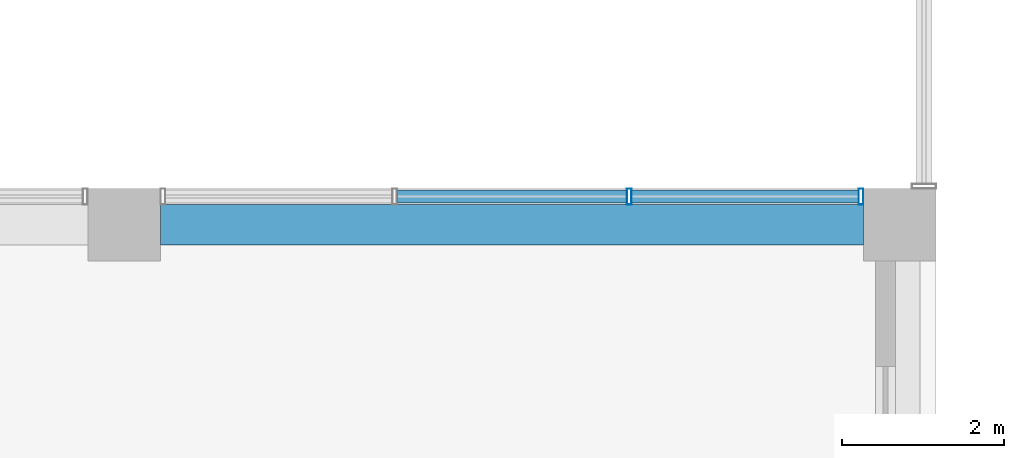
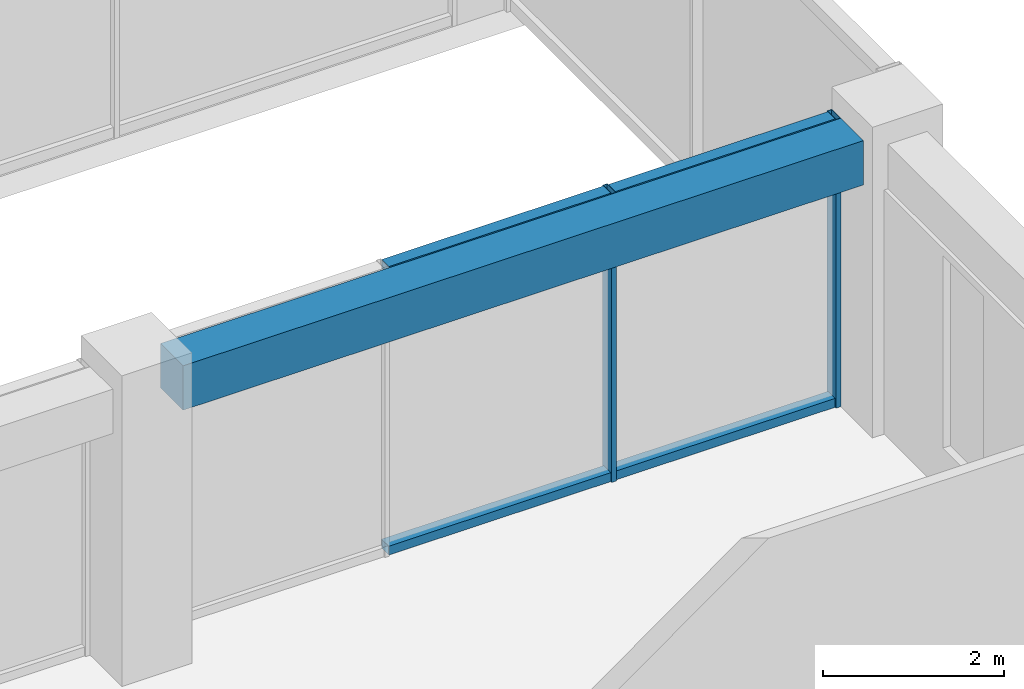
# One storey, part 17 of 36: 6 members, 1 beam, 1 element without a shape of its own.
"""IFC4 building model written with IfcOpenShell, lengths in metres."""

from ifc_helpers import new_model, si_unit, direction, frame, origin, origin_2d, place, context, subcontext, project, spatial, rectangle, hollow_rectangle, extrude, material, layer, layer_set, material_profile, profile_set, type_object, element, aggregate, save


model = new_model("IFC4")

# Units and contexts
model_context = context("Model", 3, precision=1e-05, world=origin(), true_north=direction((0.0, 1.0)))
body_context = subcontext(model_context, "Body", "Model", "MODEL_VIEW")
ifc_project = project(units=[si_unit("LENGTHUNIT", "METRE"), si_unit("AREAUNIT", "SQUARE_METRE"), si_unit("VOLUMEUNIT", "CUBIC_METRE"), si_unit("PLANEANGLEUNIT", "RADIAN"), si_unit("MASSUNIT", "GRAM", prefix="KILO")], contexts=[model_context])

# Site, building, storey
site_placement = place(None, origin())
site = spatial("IfcSite", under=ifc_project, at=site_placement, CompositionType="ELEMENT")
building_placement = place(site_placement, origin())
building = spatial("IfcBuilding", under=site, at=building_placement, Name="Nzadi Deep Aquarium and Research Tower", CompositionType="ELEMENT")
storey_placement = place(building_placement, frame((0.0, 0.0, 36.10009765625)))
storey = spatial("IfcBuildingStorey", under=building, at=storey_placement, Name="L06", CompositionType="ELEMENT", Elevation=36.10009765625)

# Curtain wall, members
ifc_material_1 = material(Name="Aluminium unitised frame", Category="aluminium")
ifc_layer = layer(ifc_material_1, 0.199951171875)
ifc_layer_set = layer_set([ifc_layer], Name="Aluminium unitised frame")
curtain_wall_type = type_object("IfcCurtainWallType", Name="Curtain wall Unitised 200", PredefinedType="NOTDEFINED", material=ifc_layer_set)
curtain_wall_placement = place(storey_placement, origin())
curtain_wall = element("IfcCurtainWall", 1, at=curtain_wall_placement, inside=storey, type_object=curtain_wall_type, Name="Unitised curtain wall blade A north L06", PredefinedType="NOTDEFINED")
ifc_material_2 = material(Name="Aluminium unitised frame", Category="aluminium")
ifc_material_profile_1 = material_profile(ifc_material_2, hollow_rectangle(XDim=0.199951171875, YDim=0.06005859375, WallThickness=0.0048828125, at=origin_2d()))
ifc_profile_set_1 = profile_set([ifc_material_profile_1], Name="Aluminium unitised frame")
member_type_1 = type_object("IfcMemberType", Name="Mullion 60x200 Unitised", PredefinedType="MULLION", material=ifc_profile_set_1)
member_1_placement = place(storey_placement, frame((44.64990234375, 18.75, 0.0), z_axis=(0.0, 0.0, 1.0), x_axis=(0.0, 1.0, 0.0)))
member_1 = element("IfcMember", 2, at=member_1_placement, type_object=member_type_1, Name="CW014 mullion 3", PredefinedType="MULLION", context=body_context, shape_type="SweptSolid", body=[
    extrude(hollow_rectangle(XDim=0.199951171875, YDim=0.06005859375, WallThickness=0.0048828125, at=origin_2d()), origin(), (0.0, 0.0, 1.0), 3.89990234375),
])
member_2_placement = place(storey_placement, frame((47.52001953125, 18.75, 0.0), z_axis=(0.0, 0.0, 1.0), x_axis=(0.0, 1.0, 0.0)))
member_2 = element("IfcMember", 3, at=member_2_placement, type_object=member_type_1, Name="CW014 mullion 4", PredefinedType="MULLION", context=body_context, shape_type="SweptSolid", body=[
    extrude(hollow_rectangle(XDim=0.199951171875, YDim=0.06005859375, WallThickness=0.0048828125, at=origin_2d()), origin(), (0.0, 0.0, 1.0), 3.89990234375),
])

# Beam
ifc_material_3 = material(Name="Concrete C35/45", Category="concrete")
ifc_material_profile_2 = material_profile(ifc_material_3, rectangle(XDim=0.5, YDim=0.60009765625, at=origin_2d()))
ifc_profile_set_2 = profile_set([ifc_material_profile_2], Name="Concrete C35/45")
beam_type = type_object("IfcBeamType", Name="RC 500x600", PredefinedType="BEAM", material=ifc_profile_set_2)
beam_placement = place(storey_placement, frame((38.85009765625, 18.39990234375, 3.599853515625), z_axis=(1.0, 0.0, 0.0), x_axis=(0.0, 1.0, 0.0)))
element("IfcBeam", 4, at=beam_placement, inside=storey, type_object=beam_type, Name="B-Z1-L06-L3-5", PredefinedType="BEAM", context=body_context, shape_type="SweptSolid", body=[
    extrude(rectangle(XDim=0.5, YDim=0.60009765625, at=origin_2d()), origin(), (0.0, 0.0, 1.0), 8.699951171875),
])

# Member
ifc_material_4 = material(Name="Aluminium unitised frame", Category="aluminium")
ifc_material_profile_3 = material_profile(ifc_material_4, hollow_rectangle(XDim=0.159912109375, YDim=0.1201171875, WallThickness=0.0048828125, at=origin_2d()))
ifc_profile_set_3 = profile_set([ifc_material_profile_3], Name="Aluminium unitised frame")
member_type_2 = type_object("IfcMemberType", Name="Transom 120x160 Unitised", PredefinedType="MULLION", material=ifc_profile_set_3)
member_3_placement = place(storey_placement, frame((41.780029296875, 18.75, 0.059814453125), z_axis=(1.0, 0.0, 0.0), x_axis=(0.0, 1.0, 0.0)))
member_3 = element("IfcMember", 5, at=member_3_placement, type_object=member_type_2, Name="CW014 transom 2.1", PredefinedType="MULLION", context=body_context, shape_type="SweptSolid", body=[
    extrude(hollow_rectangle(XDim=0.159912109375, YDim=0.1201171875, WallThickness=0.0048828125, at=origin_2d()), origin(), (0.0, 0.0, 1.0), 2.840087890625),
])

member_4_placement = place(storey_placement, frame((41.780029296875, 18.75, 3.83984375), z_axis=(1.0, 0.0, 0.0), x_axis=(0.0, 1.0, 0.0)))
member_4 = element("IfcMember", 6, at=member_4_placement, type_object=member_type_2, Name="CW014 transom 2.2", PredefinedType="MULLION", context=body_context, shape_type="SweptSolid", body=[
    extrude(hollow_rectangle(XDim=0.159912109375, YDim=0.1201171875, WallThickness=0.0048828125, at=origin_2d()), origin(), (0.0, 0.0, 1.0), 2.840087890625),
])

member_5_placement = place(storey_placement, frame((44.679931640625, 18.75, 0.059814453125), z_axis=(1.0, 0.0, 0.0), x_axis=(0.0, 1.0, 0.0)))
member_5 = element("IfcMember", 7, at=member_5_placement, type_object=member_type_2, Name="CW014 transom 3.1", PredefinedType="MULLION", context=body_context, shape_type="SweptSolid", body=[
    extrude(hollow_rectangle(XDim=0.159912109375, YDim=0.1201171875, WallThickness=0.0048828125, at=origin_2d()), origin(), (0.0, 0.0, 1.0), 2.81005859375),
])

member_6_placement = place(storey_placement, frame((44.679931640625, 18.75, 3.83984375), z_axis=(1.0, 0.0, 0.0), x_axis=(0.0, 1.0, 0.0)))
member_6 = element("IfcMember", 8, at=member_6_placement, type_object=member_type_2, Name="CW014 transom 3.2", PredefinedType="MULLION", context=body_context, shape_type="SweptSolid", body=[
    extrude(hollow_rectangle(XDim=0.159912109375, YDim=0.1201171875, WallThickness=0.0048828125, at=origin_2d()), origin(), (0.0, 0.0, 1.0), 2.81005859375),
])

aggregate(curtain_wall, [member_1, member_2, member_3, member_4, member_5, member_6])

save(model, "model.ifc")
